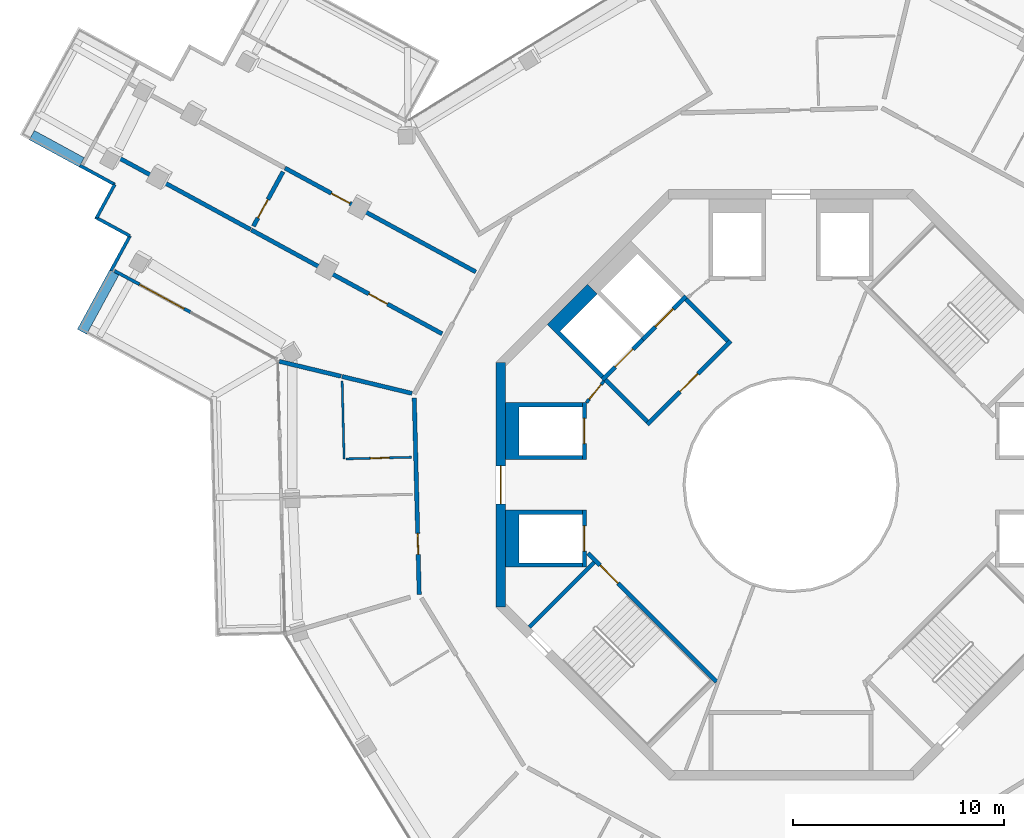
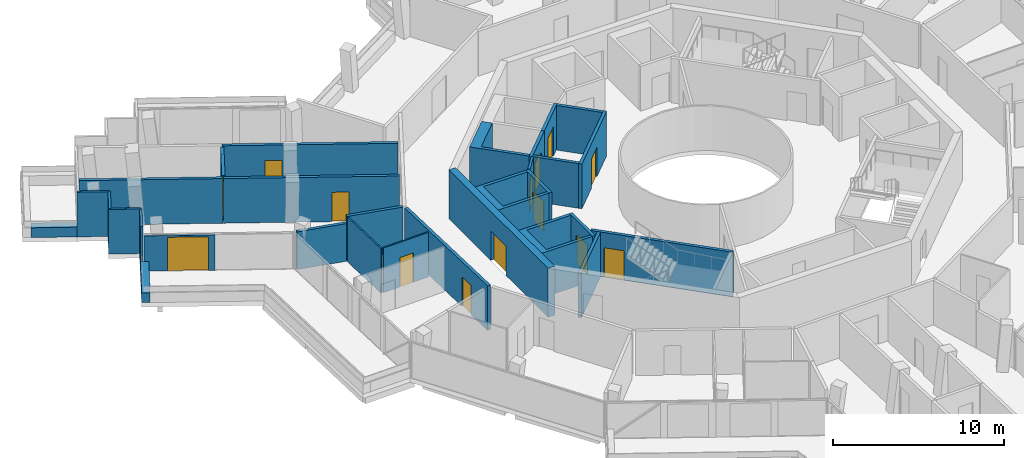
# One storey, part 20 of 26: 30 walls, 14 doors, 14 openings.
"""IFC4 building model written with IfcOpenShell, lengths in metres."""

import ifcopenshell
import ifcopenshell.guid

model = None  # the IFC model being written
_history = None  # IfcOwnerHistory: only IFC2X3 demands one
_inside = {}  # id of a spatial element -> (the spatial element, [elements in it])
_under = {}  # id of a project, library or spatial element -> (it, [spatial elements below it])
_declared = {}  # id of a project -> (the project, [libraries it declares])
_typed = {}  # id of a type object -> (the type object, [elements of that type])
_made_of = {}  # id of a material, layer set ... -> (it, [elements and type objects made of it])


def new_model(schema):
    """Start an empty IFC model of exactly this schema.

    Asked for "IFC4X3", IfcOpenShell would pick the latest addendum, in which some entities
    have other attributes; the version numbers below select the first issue.
    IFC2X3 requires an IfcOwnerHistory on every rooted entity: one is made here for all.
    """
    global model, _history
    if schema == "IFC4X3":
        model = ifcopenshell.file(schema_version=(4, 3, 0, 0))
    else:
        model = ifcopenshell.file(schema=schema)
    _inside.clear()
    _under.clear()
    _declared.clear()
    _typed.clear()
    _made_of.clear()
    _history = None
    if model.schema == "IFC2X3":
        org = make("IfcOrganization", Name="unknown")
        user = make(
            "IfcPersonAndOrganization",
            ThePerson=make("IfcPerson", FamilyName="unknown"),
            TheOrganization=org,
        )
        app = make(
            "IfcApplication",
            ApplicationDeveloper=org,
            Version="unknown",
            ApplicationFullName="unknown",
            ApplicationIdentifier="unknown",
        )
        _history = make(
            "IfcOwnerHistory",
            OwningUser=user,
            OwningApplication=app,
            ChangeAction="ADDED",
            CreationDate=0,
        )
    return model


def make(cls, **values):
    """One entity of the class cls with the attributes given. An attribute that is None is left unset."""
    return model.create_entity(
        cls, **{name: value for name, value in values.items() if value is not None}
    )


def rooted(cls, **values):
    """An entity with a GlobalId (a new one), such as an element, a storey or a relation."""
    return make(cls, GlobalId=ifcopenshell.guid.new(), OwnerHistory=_history, **values)


def si_unit(unit_type, name, prefix=None):
    """IfcSIUnit, for example si_unit("LENGTHUNIT", "METRE", prefix="MILLI")."""
    return make("IfcSIUnit", UnitType=unit_type, Prefix=prefix, Name=name)


def assignment(units):
    """IfcUnitAssignment: the units of a project."""
    return None if units is None else make("IfcUnitAssignment", Units=units)


def point(xyz):
    """IfcCartesianPoint."""
    return None if xyz is None else make("IfcCartesianPoint", Coordinates=xyz)


def direction(xyz):
    """IfcDirection."""
    return None if xyz is None else make("IfcDirection", DirectionRatios=xyz)


def frame(location, z_axis=None, x_axis=None):
    """IfcAxis2Placement3D, a coordinate frame: its origin and axes. An axis left out is left unset."""
    return make(
        "IfcAxis2Placement3D",
        Location=point(location),
        Axis=direction(z_axis),
        RefDirection=direction(x_axis),
    )


def frame_2d(location, x_axis=None):
    """IfcAxis2Placement2D, a coordinate frame in the plane: its origin and x axis."""
    return make(
        "IfcAxis2Placement2D", Location=point(location), RefDirection=direction(x_axis)
    )


def origin():
    """The frame at (0, 0, 0) with its axes left unset."""
    return frame((0.0, 0.0, 0.0))


def place(relative_to, where):
    """IfcLocalPlacement: puts the frame where relative to a parent placement (None: the world)."""
    return make(
        "IfcLocalPlacement", PlacementRelTo=relative_to, RelativePlacement=where
    )


def context(
    kind, dimensions, precision=None, world=None, true_north=None, identifier=None
):
    """IfcGeometricRepresentationContext, for example the 3D "Model" context."""
    return make(
        "IfcGeometricRepresentationContext",
        ContextIdentifier=identifier,
        ContextType=kind,
        CoordinateSpaceDimension=dimensions,
        Precision=precision,
        WorldCoordinateSystem=world,
        TrueNorth=true_north,
    )


def subcontext(parent, identifier, kind, view, scale=None):
    """IfcGeometricRepresentationSubContext, for example "Body" below "Model"."""
    return make(
        "IfcGeometricRepresentationSubContext",
        ContextIdentifier=identifier,
        ContextType=kind,
        ParentContext=parent,
        TargetScale=scale,
        TargetView=view,
    )


def project(units=None, contexts=None):
    """IfcProject with its units and contexts."""
    return rooted(
        "IfcProject",
        Name="project",
        RepresentationContexts=contexts,
        UnitsInContext=assignment(units),
    )


def spatial(cls, under=None, at=None, **own):
    """A site, building, storey or space (cls), placed at a placement, below another one or the project."""
    s = rooted(cls, ObjectPlacement=at, **own)
    if under is not None:
        _under.setdefault(under.id(), (under, []))[1].append(s)
    return s


def polyline(points):
    """IfcPolyline through the points."""
    return make("IfcPolyline", Points=[point(p) for p in points])


def profile(cls, at=None, kind="AREA", **sizes):
    """A parametric profile (cls). Its sizes go by their IFC names, for example OverallWidth=200.0."""
    return make(cls, ProfileType=kind, Position=at, **sizes)


def rectangle(**sizes):
    """IfcRectangleProfileDef."""
    return profile("IfcRectangleProfileDef", **sizes)


def outline(outer, holes=None, kind="AREA"):
    """IfcArbitraryClosedProfileDef: a profile drawn as a closed curve; with holes, ...WithVoids."""
    if holes is None:
        return make("IfcArbitraryClosedProfileDef", ProfileType=kind, OuterCurve=outer)
    return make(
        "IfcArbitraryProfileDefWithVoids",
        ProfileType=kind,
        OuterCurve=outer,
        InnerCurves=holes,
    )


def extrude(swept, where, along, depth):
    """IfcExtrudedAreaSolid: the profile swept, set in the frame where, extruded along a direction by depth."""
    return make(
        "IfcExtrudedAreaSolid",
        SweptArea=swept,
        Position=where,
        ExtrudedDirection=direction(along),
        Depth=depth,
    )


def shape(context_of_items, identifier, shape_type, items):
    """IfcShapeRepresentation: the items that make up one representation, for example the "Body"."""
    return make(
        "IfcShapeRepresentation",
        ContextOfItems=context_of_items,
        RepresentationIdentifier=identifier,
        RepresentationType=shape_type,
        Items=items,
    )


def material(Name=None, Category=None):
    """IfcMaterial."""
    return make("IfcMaterial", Name=Name, Category=Category)


def layer(
    of_material, thickness, ventilated=None, Name=None, Category=None, Priority=None
):
    """IfcMaterialLayer: one layer of a wall or slab, of a material (None: an air gap)."""
    return make(
        "IfcMaterialLayer",
        Material=of_material,
        LayerThickness=thickness,
        IsVentilated=ventilated,
        Name=Name,
        Category=Category,
        Priority=Priority,
    )


def layer_set(layers, Name=None):
    """IfcMaterialLayerSet."""
    return make("IfcMaterialLayerSet", MaterialLayers=layers, LayerSetName=Name)


def made_of(thing, what):
    """Note that an element or type object is made of a material, layer set ...; save() writes the relation."""
    if what is not None:
        _made_of.setdefault(what.id(), (what, []))[1].append(thing)
    return thing


def type_object(cls, material=None, **own):
    """A type object (cls), such as IfcWallType, which elements share."""
    return made_of(rooted(cls, **own), material)


def element(
    cls,
    number,
    at=None,
    inside=None,
    cuts=None,
    type_object=None,
    material=None,
    context=None,
    identifier="Body",
    shape_type=None,
    held_by="IfcProductDefinitionShape",
    body=None,
    shapes=None,
    **own,
):
    """One element of the class cls, such as IfcWall. Its Tag is "e" and its number.

    at: its placement. inside: the storey or other place that contains it. cuts: it is an
    opening in that element (IfcRelVoidsElement). A single representation is given by context,
    identifier, shape_type and body (its items); several are given by shapes. held_by: the class
    of the entity that holds the representations. save() writes the other relations.
    """
    e = rooted(cls, Tag="e%d" % number, ObjectPlacement=at, **own)
    if body is not None:
        shapes = [shape(context, identifier, shape_type, body)]
    if shapes is not None:
        e.Representation = make(held_by, Representations=shapes)
    if inside is not None:
        _inside.setdefault(inside.id(), (inside, []))[1].append(e)
    if cuts is not None:
        rooted(
            "IfcRelVoidsElement", RelatingBuildingElement=cuts, RelatedOpeningElement=e
        )
    if type_object is not None:
        _typed.setdefault(type_object.id(), (type_object, []))[1].append(e)
    return made_of(e, material)


def fill(opening, filler):
    """IfcRelFillsElement: the door or window that sits in an opening."""
    return rooted(
        "IfcRelFillsElement",
        RelatingOpeningElement=opening,
        RelatedBuildingElement=filler,
    )


def aggregate(whole, parts):
    """IfcRelAggregates: a whole, such as a stair, and the parts it consists of."""
    return rooted("IfcRelAggregates", RelatingObject=whole, RelatedObjects=parts)


def save(model, path):
    """Write the relations noted so far, then the file.

    IfcRelAggregates (storeys below a building ...), IfcRelContainedInSpatialStructure (elements
    in a storey), IfcRelDefinesByType, IfcRelAssociatesMaterial and IfcRelDeclares: one each for
    every whole, place, type object, material and project.
    """
    for whole, parts in _under.values():
        aggregate(whole, parts)
    for where, things in _inside.values():
        rooted(
            "IfcRelContainedInSpatialStructure",
            RelatedElements=things,
            RelatingStructure=where,
        )
    for kind, things in _typed.values():
        rooted("IfcRelDefinesByType", RelatedObjects=things, RelatingType=kind)
    for what, things in _made_of.values():
        rooted("IfcRelAssociatesMaterial", RelatedObjects=things, RelatingMaterial=what)
    for by, libraries in _declared.values():
        rooted("IfcRelDeclares", RelatingContext=by, RelatedDefinitions=libraries)
    model.write(path)


model = new_model("IFC4")

# Units and contexts
model_context = context("Model", 3, precision=1e-05, world=origin(), true_north=direction((0.0, 1.0)))
body_context = subcontext(model_context, "Body", "Model", "MODEL_VIEW")
ifc_project = project(units=[si_unit("LENGTHUNIT", "METRE"), si_unit("AREAUNIT", "SQUARE_METRE"), si_unit("VOLUMEUNIT", "CUBIC_METRE"), si_unit("PLANEANGLEUNIT", "RADIAN"), si_unit("MASSUNIT", "GRAM", prefix="KILO")], contexts=[model_context])

# Site, building, storey
site_placement = place(None, origin())
site = spatial("IfcSite", under=ifc_project, at=site_placement, CompositionType="ELEMENT")
building_placement = place(site_placement, origin())
building = spatial("IfcBuilding", under=site, at=building_placement, Name="Verdalira Terraces Hotel", CompositionType="ELEMENT")
storey_placement = place(building_placement, frame((0.0, 0.0, 284.5)))
storey = spatial("IfcBuildingStorey", under=building, at=storey_placement, Name="L70", CompositionType="ELEMENT", Elevation=284.5)

# Walls
ifc_material_1 = material(Name="Concrete C40", Category="concrete")
ifc_layer_1 = layer(ifc_material_1, 0.5)
ifc_layer_set_1 = layer_set([ifc_layer_1], Name="Balcony planter trough with tree")
wall_type_1 = type_object("IfcWallType", Name="Balcony planter trough with tree", PredefinedType="SOLIDWALL", material=ifc_layer_set_1)
wall_1_placement = place(storey_placement, frame((-36.008057, 16.58252, 0.0), z_axis=(0.0, 0.0, 1.0), x_axis=(0.878289347, -0.478129504, 0.0)))
element("IfcWall", 1, at=wall_1_placement, inside=storey, type_object=wall_type_1, Name="Balcony planter", PredefinedType="SOLIDWALL", context=body_context, shape_type="SweptSolid", body=[
    extrude(rectangle(XDim=2.699219, YDim=0.5, at=frame_2d((1.349609, 0.0))), origin(), (0.0, 0.0, 1.0), 0.699951),
])
wall_2_placement = place(storey_placement, frame((-32.095947, 10.068604, 0.0), z_axis=(0.0, 0.0, 1.0), x_axis=(-0.478108746, -0.878300647, 0.0)))
element("IfcWall", 2, at=wall_2_placement, inside=storey, type_object=wall_type_1, Name="Balcony planter", PredefinedType="SOLIDWALL", context=body_context, shape_type="SweptSolid", body=[
    extrude(rectangle(XDim=3.199219, YDim=0.5, at=frame_2d((1.599609, 0.0))), origin(), (0.0, 0.0, 1.0), 0.699951),
])
ifc_material_2 = material(Name="Moisture-resistant gypsum board partition")
ifc_layer_2 = layer(ifc_material_2, 0.10009765625)
ifc_layer_set_2 = layer_set([ifc_layer_2], Name="Bathroom partition 100 mm")
wall_type_2 = type_object("IfcWallType", Name="Bathroom partition 100 mm", PredefinedType="PARTITIONING", material=ifc_layer_set_2)
wall_3_placement = place(storey_placement, frame((-21.288818, 4.928955, 0.0), z_axis=(0.0, 0.0, 1.0), x_axis=(0.025112405, -0.999684634, 0.0)))
element("IfcWall", 3, at=wall_3_placement, inside=storey, type_object=wall_type_2, Name="Bathroom partition", PredefinedType="PARTITIONING", context=body_context, shape_type="SweptSolid", body=[
    extrude(rectangle(XDim=3.704102, YDim=0.100098, at=frame_2d((1.852051, 0.0))), origin(), (0.0, 0.0, 1.0), 3.189941),
])

# Wall, opening, door
wall_4_placement = place(storey_placement, frame((-21.095947, 1.228516, 0.0), z_axis=(0.0, 0.0, 1.0), x_axis=(0.999684391, 0.025122051, 0.0)))
wall_4 = element("IfcWall", 4, at=wall_4_placement, inside=storey, type_object=wall_type_2, Name="Bathroom partition", PredefinedType="PARTITIONING", context=body_context, shape_type="SweptSolid", body=[
    extrude(rectangle(XDim=3.100098, YDim=0.100098, at=frame_2d((1.550049, 0.0))), origin(), (0.0, 0.0, 1.0), 3.189941),
])
opening_1_placement = place(wall_4_placement, frame((1.149902, 0.0, 0.0)))
opening_1 = element("IfcOpeningElement", 5, at=opening_1_placement, cuts=wall_4, Name="Opening L70-107", PredefinedType="OPENING", context=body_context, shape_type="SweptSolid", body=[
    extrude(rectangle(XDim=0.899902, YDim=2.100098, at=frame_2d((0.449951, 1.050049))), frame((0.0, 0.060059, 0.0), z_axis=(0.0, -1.0, 0.0), x_axis=(1.0, 0.0, 0.0)), (0.0, 0.0, 1.0), 0.120117),
])
ifc_material_3 = material(Name="Timber door", Category="wood")
door_type_1 = type_object("IfcDoorType", Name="Bathroom door 900 x 2100", OperationType="NOTDEFINED", PredefinedType="DOOR", material=ifc_material_3)
door_1_placement = place(opening_1_placement, origin())
door_1 = element("IfcDoor", 6, at=door_1_placement, inside=storey, type_object=door_type_1, Name="Bathroom door 7002", OperationType="SINGLE_SWING_LEFT", OverallHeight=2.10009765625, OverallWidth=0.89990234375, PredefinedType="DOOR", context=body_context, shape_type="SweptSolid", body=[
    extrude(rectangle(XDim=0.899902, YDim=2.100098, at=frame_2d((0.449951, 1.050049))), frame((0.0, 0.024902, 0.0), z_axis=(0.0, -1.0, 0.0), x_axis=(1.0, 0.0, 0.0)), (0.0, 0.0, 1.0), 0.050049),
])
fill(opening_1, door_1)

# Wall
ifc_material_4 = material(Name="Concrete C50", Category="concrete")
ifc_layer_3 = layer(ifc_material_4, 0.199951171875)
ifc_layer_set_3 = layer_set([ifc_layer_3], Name="Core RC wall 200 C50")
wall_type_3 = type_object("IfcWallType", Name="Core RC wall 200 C50", PredefinedType="SOLIDWALL", material=ifc_layer_set_3)
wall_5_placement = place(storey_placement, origin())
element("IfcWall", 7, at=wall_5_placement, inside=storey, type_object=wall_type_3, Name="L70 shaft wall W1", PredefinedType="SOLIDWALL", context=body_context, shape_type="SweptSolid", body=[
    extrude(outline(polyline([(-13.550049, 3.899902), (-9.899902, 3.899902), (-9.899902, 3.699951), (-12.899902, 3.699951), (-12.899902, 1.399902), (-9.899902, 1.399902), (-9.899902, 1.199951), (-13.550049, 1.199951), (-13.550049, 3.899902)])), origin(), (0.0, 0.0, 1.0), 3.189941),
])

# Wall, opening, door
wall_6_placement = place(storey_placement, frame((-9.800049, 1.199951, 0.0), z_axis=(0.0, 0.0, 1.0), x_axis=(0.0, 1.0, 0.0)))
wall_6 = element("IfcWall", 8, at=wall_6_placement, inside=storey, type_object=wall_type_3, Name="L70 shaft front wall W1", PredefinedType="SOLIDWALL", context=body_context, shape_type="SweptSolid", body=[
    extrude(rectangle(XDim=2.699951, YDim=0.199951, at=frame_2d((1.350098, 0.0))), origin(), (0.0, 0.0, 1.0), 3.189941),
])
opening_2_placement = place(wall_6_placement, frame((0.75, 0.0, 0.0)))
opening_2 = element("IfcOpeningElement", 9, at=opening_2_placement, cuts=wall_6, Name="Opening LD-L70-806", PredefinedType="OPENING", context=body_context, shape_type="SweptSolid", body=[
    extrude(rectangle(XDim=1.199951, YDim=2.100098, at=frame_2d((0.600098, 1.050049))), frame((0.0, 0.109863, 0.0), z_axis=(0.0, -1.0, 0.0), x_axis=(1.0, 0.0, 0.0)), (0.0, 0.0, 1.0), 0.219971),
])
ifc_material_5 = material(Name="Stainless steel", Category="steel")
door_type_2 = type_object("IfcDoorType", Name="Landing door 1200 x 2100", OperationType="NOTDEFINED", PredefinedType="DOOR", material=ifc_material_5)
door_2_placement = place(opening_2_placement, origin())
door_2 = element("IfcDoor", 10, at=door_2_placement, inside=storey, type_object=door_type_2, Name="Lift landing door HR5 L70", OperationType="DOUBLE_DOOR_SLIDING", OverallHeight=2.10009765625, OverallWidth=1.199951171875, PredefinedType="DOOR", context=body_context, shape_type="SweptSolid", body=[
    extrude(rectangle(XDim=1.199951, YDim=2.100098, at=frame_2d((0.600098, 1.050049))), frame((0.0, 0.024902, 0.0), z_axis=(0.0, -1.0, 0.0), x_axis=(1.0, 0.0, 0.0)), (0.0, 0.0, 1.0), 0.050049),
])
fill(opening_2, door_2)

# Wall
wall_7_placement = place(storey_placement, origin())
element("IfcWall", 11, at=wall_7_placement, inside=storey, type_object=wall_type_3, Name="L70 shaft wall W2", PredefinedType="SOLIDWALL", context=body_context, shape_type="SweptSolid", body=[
    extrude(outline(polyline([(-13.550049, -3.899902), (-13.550049, -1.199951), (-9.899902, -1.199951), (-9.899902, -1.399902), (-12.899902, -1.399902), (-12.899902, -3.699951), (-9.899902, -3.699951), (-9.899902, -3.899902), (-13.550049, -3.899902)])), origin(), (0.0, 0.0, 1.0), 3.189941),
])

# Wall, opening, door
wall_8_placement = place(storey_placement, frame((-9.800049, -1.199951, 0.0), z_axis=(0.0, 0.0, 1.0), x_axis=(0.0, -1.0, 0.0)))
wall_8 = element("IfcWall", 12, at=wall_8_placement, inside=storey, type_object=wall_type_3, Name="L70 shaft front wall W2", PredefinedType="SOLIDWALL", context=body_context, shape_type="SweptSolid", body=[
    extrude(rectangle(XDim=2.699951, YDim=0.199951, at=frame_2d((1.350098, 0.0))), origin(), (0.0, 0.0, 1.0), 3.189941),
])
opening_3_placement = place(wall_8_placement, frame((0.75, 0.0, 0.0)))
opening_3 = element("IfcOpeningElement", 13, at=opening_3_placement, cuts=wall_8, Name="Opening LD-L70-807", PredefinedType="OPENING", context=body_context, shape_type="SweptSolid", body=[
    extrude(rectangle(XDim=1.199951, YDim=2.100098, at=frame_2d((0.600098, 1.050049))), frame((0.0, 0.109863, 0.0), z_axis=(0.0, -1.0, 0.0), x_axis=(1.0, 0.0, 0.0)), (0.0, 0.0, 1.0), 0.219971),
])
door_3_placement = place(opening_3_placement, origin())
door_3 = element("IfcDoor", 14, at=door_3_placement, inside=storey, type_object=door_type_2, Name="Lift landing door HR6 L70", OperationType="DOUBLE_DOOR_SLIDING", OverallHeight=2.10009765625, OverallWidth=1.199951171875, PredefinedType="DOOR", context=body_context, shape_type="SweptSolid", body=[
    extrude(rectangle(XDim=1.199951, YDim=2.100098, at=frame_2d((0.600098, 1.050049))), frame((0.0, 0.024902, 0.0), z_axis=(0.0, -1.0, 0.0), x_axis=(1.0, 0.0, 0.0)), (0.0, 0.0, 1.0), 0.050049),
])
fill(opening_3, door_3)

wall_9_placement = place(storey_placement, frame((-4.985107, 8.944824, 0.0), z_axis=(0.0, 0.0, 1.0), x_axis=(-0.707106781, -0.707106781, 0.0)))
wall_9 = element("IfcWall", 15, at=wall_9_placement, inside=storey, type_object=wall_type_3, Name="L70 shaft front wall F1", PredefinedType="SOLIDWALL", context=body_context, shape_type="SweptSolid", body=[
    extrude(rectangle(XDim=2.899902, YDim=0.199951, at=frame_2d((1.449951, 0.0))), origin(), (0.0, 0.0, 1.0), 3.189941),
])
opening_4_placement = place(wall_9_placement, frame((0.850098, 0.0, 0.0)))
opening_4 = element("IfcOpeningElement", 16, at=opening_4_placement, cuts=wall_9, Name="Opening LD-L70-808", PredefinedType="OPENING", context=body_context, shape_type="SweptSolid", body=[
    extrude(rectangle(XDim=1.199951, YDim=2.100098, at=frame_2d((0.600098, 1.050049))), frame((0.0, 0.109863, 0.0), z_axis=(0.0, -1.0, 0.0), x_axis=(1.0, 0.0, 0.0)), (0.0, 0.0, 1.0), 0.219971),
])
door_4_placement = place(opening_4_placement, origin())
door_4 = element("IfcDoor", 17, at=door_4_placement, inside=storey, type_object=door_type_2, Name="Lift landing door LF11 L70", OperationType="DOUBLE_DOOR_SLIDING", OverallHeight=2.10009765625, OverallWidth=1.199951171875, PredefinedType="DOOR", context=body_context, shape_type="SweptSolid", body=[
    extrude(rectangle(XDim=1.199951, YDim=2.100098, at=frame_2d((0.600098, 1.050049))), frame((0.0, 0.024902, 0.0), z_axis=(0.0, -1.0, 0.0), x_axis=(1.0, 0.0, 0.0)), (0.0, 0.0, 1.0), 0.050049),
])
fill(opening_4, door_4)

# Wall
wall_10_placement = place(storey_placement, origin())
element("IfcWall", 18, at=wall_10_placement, inside=storey, type_object=wall_type_3, Name="L70 shaft wall F2", PredefinedType="SOLIDWALL", context=body_context, shape_type="SweptSolid", body=[
    extrude(outline(polyline([(-11.561279, 7.601318), (-9.6521, 9.510498), (-9.192383, 9.051025), (-10.960205, 7.283203), (-8.874268, 5.197266), (-9.015625, 5.055908), (-11.561279, 7.601318)])), origin(), (0.0, 0.0, 1.0), 3.189941),
])

# Wall, opening, door
wall_11_placement = place(storey_placement, frame((-7.035645, 6.894287, 0.0), z_axis=(0.0, 0.0, 1.0), x_axis=(-0.707106781, -0.707106781, 0.0)))
wall_11 = element("IfcWall", 19, at=wall_11_placement, inside=storey, type_object=wall_type_3, Name="L70 shaft front wall F2", PredefinedType="SOLIDWALL", context=body_context, shape_type="SweptSolid", body=[
    extrude(rectangle(XDim=2.699951, YDim=0.199951, at=frame_2d((1.350098, 0.0))), origin(), (0.0, 0.0, 1.0), 3.189941),
])
opening_5_placement = place(wall_11_placement, frame((0.649902, 0.0, 0.0)))
opening_5 = element("IfcOpeningElement", 20, at=opening_5_placement, cuts=wall_11, Name="Opening LD-L70-809", PredefinedType="OPENING", context=body_context, shape_type="SweptSolid", body=[
    extrude(rectangle(XDim=1.199951, YDim=2.100098, at=frame_2d((0.600098, 1.050049))), frame((0.0, 0.109863, 0.0), z_axis=(0.0, -1.0, 0.0), x_axis=(1.0, 0.0, 0.0)), (0.0, 0.0, 1.0), 0.219971),
])
door_5_placement = place(opening_5_placement, origin())
door_5 = element("IfcDoor", 21, at=door_5_placement, inside=storey, type_object=door_type_2, Name="Lift landing door LF12 L70", OperationType="DOUBLE_DOOR_SLIDING", OverallHeight=2.10009765625, OverallWidth=1.199951171875, PredefinedType="DOOR", context=body_context, shape_type="SweptSolid", body=[
    extrude(rectangle(XDim=1.199951, YDim=2.100098, at=frame_2d((0.600098, 1.050049))), frame((0.0, 0.024902, 0.0), z_axis=(0.0, -1.0, 0.0), x_axis=(1.0, 0.0, 0.0)), (0.0, 0.0, 1.0), 0.050049),
])
fill(opening_5, door_5)

wall_12_placement = place(storey_placement, frame((-3.5354, -9.33374, 0.0), z_axis=(0.0, 0.0, 1.0), x_axis=(-0.707120946, 0.707092617, 0.0)))
wall_12 = element("IfcWall", 22, at=wall_12_placement, inside=storey, type_object=wall_type_3, Name="L70 stair ST2 front wall", PredefinedType="SOLIDWALL", context=body_context, shape_type="SweptSolid", body=[
    extrude(rectangle(XDim=8.61792, YDim=0.199951, at=frame_2d((4.309082, 0.0))), origin(), (0.0, 0.0, 1.0), 3.189941),
])
opening_6_placement = place(wall_12_placement, frame((6.600098, 0.0, 0.0)))
opening_6 = element("IfcOpeningElement", 23, at=opening_6_placement, cuts=wall_12, Name="Opening L70-811", PredefinedType="OPENING", context=body_context, shape_type="SweptSolid", body=[
    extrude(rectangle(XDim=1.199951, YDim=2.100098, at=frame_2d((0.600098, 1.050049))), frame((0.0, 0.109863, 0.0), z_axis=(0.0, -1.0, 0.0), x_axis=(1.0, 0.0, 0.0)), (0.0, 0.0, 1.0), 0.219971),
])
ifc_material_6 = material(Name="Steel fire door", Category="steel")
door_type_3 = type_object("IfcDoorType", Name="Stair door 1200 x 2100", OperationType="NOTDEFINED", PredefinedType="DOOR", material=ifc_material_6)
door_6_placement = place(opening_6_placement, origin())
door_6 = element("IfcDoor", 24, at=door_6_placement, inside=storey, type_object=door_type_3, Name="Stair door ST2 L70", OperationType="SINGLE_SWING_RIGHT", OverallHeight=2.10009765625, OverallWidth=1.199951171875, PredefinedType="DOOR", context=body_context, shape_type="SweptSolid", body=[
    extrude(rectangle(XDim=1.199951, YDim=2.100098, at=frame_2d((0.600098, 1.050049))), frame((0.0, 0.024902, 0.0), z_axis=(0.0, -1.0, 0.0), x_axis=(1.0, 0.0, 0.0)), (0.0, 0.0, 1.0), 0.050049),
])
fill(opening_6, door_6)

# Wall
wall_13_placement = place(storey_placement, frame((-9.33374, -3.677002, 0.0), z_axis=(0.0, 0.0, 1.0), x_axis=(-0.707106781, -0.707106781, 0.0)))
element("IfcWall", 25, at=wall_13_placement, inside=storey, type_object=wall_type_3, Name="L70 stair ST2 end wall 1", PredefinedType="SOLIDWALL", context=body_context, shape_type="SweptSolid", body=[
    extrude(rectangle(XDim=4.350098, YDim=0.199951, at=frame_2d((2.175049, 0.0))), origin(), (0.0, 0.0, 1.0), 3.189941),
])

# Wall, opening, door
wall_14_placement = place(storey_placement, frame((-2.86377, 6.823486, 0.0), z_axis=(0.0, 0.0, 1.0), x_axis=(-0.707106781, -0.707106781, 0.0)))
wall_14 = element("IfcWall", 26, at=wall_14_placement, inside=storey, type_object=wall_type_3, Name="L70 fire lobby wall", PredefinedType="SOLIDWALL", context=body_context, shape_type="SweptSolid", body=[
    extrude(rectangle(XDim=5.599854, YDim=0.199951, at=frame_2d((2.799805, 0.0))), origin(), (0.0, 0.0, 1.0), 3.189941),
])
opening_7_placement = place(wall_14_placement, frame((2.199951, 0.0, 0.0)))
opening_7 = element("IfcOpeningElement", 27, at=opening_7_placement, cuts=wall_14, Name="Opening L70-819", PredefinedType="OPENING", context=body_context, shape_type="SweptSolid", body=[
    extrude(rectangle(XDim=1.199951, YDim=2.100098, at=frame_2d((0.600098, 1.050049))), frame((0.0, 0.109863, 0.0), z_axis=(0.0, -1.0, 0.0), x_axis=(1.0, 0.0, 0.0)), (0.0, 0.0, 1.0), 0.219971),
])
ifc_material_7 = material(Name="Steel fire door", Category="steel")
door_type_4 = type_object("IfcDoorType", Name="Lobby door 1200 x 2100", OperationType="NOTDEFINED", PredefinedType="DOOR", material=ifc_material_7)
door_7_placement = place(opening_7_placement, origin())
door_7 = element("IfcDoor", 28, at=door_7_placement, inside=storey, type_object=door_type_4, Name="Fire lobby door L70", OperationType="SINGLE_SWING_LEFT", OverallHeight=2.10009765625, OverallWidth=1.199951171875, PredefinedType="DOOR", context=body_context, shape_type="SweptSolid", body=[
    extrude(rectangle(XDim=1.199951, YDim=2.100098, at=frame_2d((0.600098, 1.050049))), frame((0.0, 0.024902, 0.0), z_axis=(0.0, -1.0, 0.0), x_axis=(1.0, 0.0, 0.0)), (0.0, 0.0, 1.0), 0.050049),
])
fill(opening_7, door_7)

# Walls
for number, where, z_axis, x_axis, name in (
    (29, (-3.005127, 6.823486, 0.0), (0.0, 0.0, 1.0), (-0.707106781, 0.707106781, 0.0), "L70 fire lobby wall"),
    (30, (-6.823486, 3.005127, 0.0), (0.0, 0.0, 1.0), (-0.707106781, 0.707106781, 0.0), "L70 fire lobby wall"),
):
    element("IfcWall", number, at=place(storey_placement, frame(where, z_axis=z_axis, x_axis=x_axis)), inside=storey, type_object=wall_type_3, Name=name, PredefinedType="SOLIDWALL", context=body_context, shape_type="SweptSolid", body=[
        extrude(rectangle(XDim=2.800049, YDim=0.199951, at=frame_2d((1.399902, 0.0))), origin(), (0.0, 0.0, 1.0), 3.189941),
    ])

# Wall, opening, door
ifc_material_8 = material(Name="Gypsum board partition")
ifc_layer_4 = layer(ifc_material_8, 0.14990234375)
ifc_layer_set_4 = layer_set([ifc_layer_4], Name="Core partition 150 mm")
wall_type_4 = type_object("IfcWallType", Name="Core partition 150 mm", PredefinedType="PARTITIONING", material=ifc_layer_set_4)
wall_15_placement = place(storey_placement, frame((-8.874268, 4.914307, 0.0), z_axis=(0.0, 0.0, 1.0), x_axis=(-0.631274009, -0.775559878, 0.0)))
wall_15 = element("IfcWall", 31, at=wall_15_placement, inside=storey, type_object=wall_type_4, Name="Room partition L70", PredefinedType="PARTITIONING", context=body_context, shape_type="SweptSolid", body=[
    extrude(rectangle(XDim=1.307861, YDim=0.149902, at=frame_2d((0.653809, 0.0))), origin(), (0.0, 0.0, 1.0), 3.189941),
])
opening_8_placement = place(wall_15_placement, frame((0.204102, 0.0, 0.0)))
opening_8 = element("IfcOpeningElement", 32, at=opening_8_placement, cuts=wall_15, Name="Opening L70-821", PredefinedType="OPENING", context=body_context, shape_type="SweptSolid", body=[
    extrude(rectangle(XDim=0.899902, YDim=2.100098, at=frame_2d((0.449951, 1.050049))), frame((0.0, 0.084961, 0.0), z_axis=(0.0, -1.0, 0.0), x_axis=(1.0, 0.0, 0.0)), (0.0, 0.0, 1.0), 0.169922),
])
ifc_material_9 = material(Name="Steel fire door", Category="steel")
door_type_5 = type_object("IfcDoorType", Name="Core room door 900 x 2100", OperationType="NOTDEFINED", PredefinedType="DOOR", material=ifc_material_9)
door_8_placement = place(opening_8_placement, origin())
door_8 = element("IfcDoor", 33, at=door_8_placement, inside=storey, type_object=door_type_5, Name="Door L70 room3", OperationType="SINGLE_SWING_LEFT", OverallHeight=2.10009765625, OverallWidth=0.89990234375, PredefinedType="DOOR", context=body_context, shape_type="SweptSolid", body=[
    extrude(rectangle(XDim=0.899902, YDim=2.100098, at=frame_2d((0.449951, 1.050049))), frame((0.0, 0.024902, 0.0), z_axis=(0.0, -1.0, 0.0), x_axis=(1.0, 0.0, 0.0)), (0.0, 0.0, 1.0), 0.050049),
])
fill(opening_8, door_8)

ifc_material_10 = material(Name="Concrete C50", Category="concrete")
ifc_layer_5 = layer(ifc_material_10, 0.449951171875)
ifc_layer_set_5 = layer_set([ifc_layer_5], Name="Core wall 450 C50")
wall_type_5 = type_object("IfcWallType", Name="Core wall 450 C50", PredefinedType="SHEAR", material=ifc_layer_set_5)
wall_16_placement = place(storey_placement, frame((-13.774902, 5.799072, 0.0), z_axis=(0.0, 0.0, 1.0), x_axis=(0.0, -1.0, 0.0)))
wall_16 = element("IfcWall", 34, at=wall_16_placement, inside=storey, type_object=wall_type_5, Name="Core wall CW-L70-5", PredefinedType="SHEAR", context=body_context, shape_type="SweptSolid", body=[
    extrude(rectangle(XDim=11.598145, YDim=0.449951, at=frame_2d((5.799072, 0.0))), origin(), (0.0, 0.0, 1.0), 3.5),
])
opening_9_placement = place(wall_16_placement, frame((4.898926, 0.0, 0.0)))
opening_9 = element("IfcOpeningElement", 35, at=opening_9_placement, cuts=wall_16, Name="Opening L70-815", PredefinedType="OPENING", context=body_context, shape_type="SweptSolid", body=[
    extrude(rectangle(XDim=1.800049, YDim=2.100098, at=frame_2d((0.899902, 1.050049))), frame((0.0, 0.234863, 0.0), z_axis=(0.0, -1.0, 0.0), x_axis=(1.0, 0.0, 0.0)), (0.0, 0.0, 1.0), 0.469971),
])
ifc_material_11 = material(Name="Steel fire door", Category="steel")
door_type_6 = type_object("IfcDoorType", Name="Core entry door pair 1800 x 2100", OperationType="NOTDEFINED", PredefinedType="DOOR", material=ifc_material_11)
door_9_placement = place(opening_9_placement, origin())
door_9 = element("IfcDoor", 36, at=door_9_placement, inside=storey, type_object=door_type_6, Name="Core entry door L70 4", OperationType="DOUBLE_DOOR_SINGLE_SWING", OverallHeight=2.10009765625, OverallWidth=1.800048828125, PredefinedType="DOOR", context=body_context, shape_type="SweptSolid", body=[
    extrude(rectangle(XDim=1.800049, YDim=2.100098, at=frame_2d((0.899902, 1.050049))), frame((0.0, 0.024902, 0.0), z_axis=(0.0, -1.0, 0.0), x_axis=(1.0, 0.0, 0.0)), (0.0, 0.0, 1.0), 0.050049),
])
fill(opening_9, door_9)

# Wall
ifc_material_12 = material(Name="Fire-rated gypsum board wall")
ifc_layer_6 = layer(ifc_material_12, 0.199951171875)
ifc_layer_set_6 = layer_set([ifc_layer_6], Name="Demising wall 200 mm")
wall_type_6 = type_object("IfcWallType", Name="Demising wall 200 mm", PredefinedType="SOLIDWALL", material=ifc_layer_set_6)
wall_17_placement = place(storey_placement, frame((-33.012695, 16.124023, 0.0), z_axis=(0.0, 0.0, 1.0), x_axis=(0.878326299, -0.47806162, 0.0)))
element("IfcWall", 37, at=wall_17_placement, inside=storey, type_object=wall_type_6, Name="Demising wall", PredefinedType="SOLIDWALL", context=body_context, shape_type="SweptSolid", body=[
    extrude(rectangle(XDim=8.397705, YDim=0.199951, at=frame_2d((4.19873, 0.0))), origin(), (0.0, 0.0, 1.0), 3.189941),
])

# Wall, opening, door
wall_18_placement = place(storey_placement, frame((-25.498779, 12.261963, 0.0), z_axis=(0.0, 0.0, 1.0), x_axis=(0.478055142, 0.878329825, 0.0)))
wall_18 = element("IfcWall", 38, at=wall_18_placement, inside=storey, type_object=wall_type_6, Name="Demising wall", PredefinedType="SOLIDWALL", context=body_context, shape_type="SweptSolid", body=[
    extrude(rectangle(XDim=2.941162, YDim=0.199951, at=frame_2d((1.470703, 0.0))), origin(), (0.0, 0.0, 1.0), 3.189941),
])
opening_10_placement = place(wall_18_placement, frame((0.449951, 0.0, 0.0)))
opening_10 = element("IfcOpeningElement", 39, at=opening_10_placement, cuts=wall_18, Name="Opening L70-104", PredefinedType="OPENING", context=body_context, shape_type="SweptSolid", body=[
    extrude(rectangle(XDim=1.0, YDim=2.100098, at=frame_2d((0.5, 1.050049))), frame((0.0, 0.109863, 0.0), z_axis=(0.0, -1.0, 0.0), x_axis=(1.0, 0.0, 0.0)), (0.0, 0.0, 1.0), 0.219971),
])
ifc_material_13 = material(Name="Timber fire door", Category="wood")
door_type_7 = type_object("IfcDoorType", Name="Public room door 1000 x 2100", OperationType="NOTDEFINED", PredefinedType="DOOR", material=ifc_material_13)
door_10_placement = place(opening_10_placement, origin())
door_10 = element("IfcDoor", 40, at=door_10_placement, inside=storey, type_object=door_type_7, Name="Public room door 7001", OperationType="SINGLE_SWING_LEFT", OverallHeight=2.10009765625, OverallWidth=1.0, PredefinedType="DOOR", context=body_context, shape_type="SweptSolid", body=[
    extrude(rectangle(XDim=1.0, YDim=2.100098, at=frame_2d((0.5, 1.050049))), frame((0.0, 0.024902, 0.0), z_axis=(0.0, -1.0, 0.0), x_axis=(1.0, 0.0, 0.0)), (0.0, 0.0, 1.0), 0.050049),
])
fill(opening_10, door_10)

wall_19_placement = place(storey_placement, frame((-16.547852, 7.162109, 0.0), z_axis=(0.0, 0.0, 1.0), x_axis=(-0.878310041, 0.478091489, 0.0)))
wall_19 = element("IfcWall", 41, at=wall_19_placement, inside=storey, type_object=wall_type_6, Name="Demising wall", PredefinedType="SOLIDWALL", context=body_context, shape_type="SweptSolid", body=[
    extrude(rectangle(XDim=10.302002, YDim=0.199951, at=frame_2d((5.150879, 0.0))), origin(), (0.0, 0.0, 1.0), 3.189941),
])
opening_11_placement = place(wall_19_placement, frame((2.949951, 0.0, 0.0)))
opening_11 = element("IfcOpeningElement", 42, at=opening_11_placement, cuts=wall_19, Name="Opening L70-103", PredefinedType="OPENING", context=body_context, shape_type="SweptSolid", body=[
    extrude(rectangle(XDim=1.0, YDim=2.100098, at=frame_2d((0.5, 1.050049))), frame((0.0, 0.109863, 0.0), z_axis=(0.0, -1.0, 0.0), x_axis=(1.0, 0.0, 0.0)), (0.0, 0.0, 1.0), 0.219971),
])
door_11_placement = place(opening_11_placement, origin())
door_11 = element("IfcDoor", 43, at=door_11_placement, inside=storey, type_object=door_type_7, Name="Public room door 7001", OperationType="SINGLE_SWING_LEFT", OverallHeight=2.10009765625, OverallWidth=1.0, PredefinedType="DOOR", context=body_context, shape_type="SweptSolid", body=[
    extrude(rectangle(XDim=1.0, YDim=2.100098, at=frame_2d((0.5, 1.050049))), frame((0.0, 0.024902, 0.0), z_axis=(0.0, -1.0, 0.0), x_axis=(1.0, 0.0, 0.0)), (0.0, 0.0, 1.0), 0.050049),
])
fill(opening_11, door_11)

# Wall
wall_20_placement = place(storey_placement, frame((-17.9729, 4.334717, 0.0), z_axis=(0.0, 0.0, 1.0), x_axis=(-0.972125443, 0.234461345, 0.0)))
element("IfcWall", 44, at=wall_20_placement, inside=storey, type_object=wall_type_6, Name="Demising wall", PredefinedType="SOLIDWALL", context=body_context, shape_type="SweptSolid", body=[
    extrude(rectangle(XDim=3.418457, YDim=0.199951, at=frame_2d((1.709229, 0.0))), origin(), (0.0, 0.0, 1.0), 3.189941),
])

# Wall, opening, door
wall_21_placement = place(storey_placement, frame((-23.999023, 15.021973, 0.0), z_axis=(0.0, 0.0, 1.0), x_axis=(0.878315458, -0.478081538, 0.0)))
wall_21 = element("IfcWall", 45, at=wall_21_placement, inside=storey, type_object=wall_type_6, Name="Demising wall", PredefinedType="SOLIDWALL", context=body_context, shape_type="SweptSolid", body=[
    extrude(rectangle(XDim=10.302246, YDim=0.199951, at=frame_2d((5.151123, 0.0))), origin(), (0.0, 0.0, 1.0), 3.189941),
])
opening_12_placement = place(wall_21_placement, frame((2.5, 0.0, 0.0)))
opening_12 = element("IfcOpeningElement", 46, at=opening_12_placement, cuts=wall_21, Name="Opening L70-102", PredefinedType="OPENING", context=body_context, shape_type="SweptSolid", body=[
    extrude(rectangle(XDim=1.0, YDim=2.100098, at=frame_2d((0.5, 1.050049))), frame((0.0, 0.109863, 0.0), z_axis=(0.0, -1.0, 0.0), x_axis=(1.0, 0.0, 0.0)), (0.0, 0.0, 1.0), 0.219971),
])
door_12_placement = place(opening_12_placement, origin())
door_12 = element("IfcDoor", 47, at=door_12_placement, inside=storey, type_object=door_type_7, Name="Public room door 7001", OperationType="SINGLE_SWING_LEFT", OverallHeight=2.10009765625, OverallWidth=1.0, PredefinedType="DOOR", context=body_context, shape_type="SweptSolid", body=[
    extrude(rectangle(XDim=1.0, YDim=2.100098, at=frame_2d((0.5, 1.050049))), frame((0.0, 0.024902, 0.0), z_axis=(0.0, -1.0, 0.0), x_axis=(1.0, 0.0, 0.0)), (0.0, 0.0, 1.0), 0.050049),
])
fill(opening_12, door_12)

# Wall
ifc_material_14 = material(Name="Fire-rated gypsum board wall")
ifc_layer_7 = layer(ifc_material_14, 0.199951171875)
ifc_layer_set_7 = layer_set([ifc_layer_7], Name="Demising wall 200 mm to beam soffit")
wall_type_7 = type_object("IfcWallType", Name="Demising wall 200 mm to beam soffit", PredefinedType="SOLIDWALL", material=ifc_layer_set_7)
wall_22_placement = place(storey_placement, frame((-21.34082, 5.147217, 0.0), z_axis=(0.0, 0.0, 1.0), x_axis=(-0.972126189, 0.234458255, 0.0)))
element("IfcWall", 48, at=wall_22_placement, inside=storey, type_object=wall_type_7, Name="Demising wall", PredefinedType="SOLIDWALL", context=body_context, shape_type="SweptSolid", body=[
    extrude(rectangle(XDim=3.011475, YDim=0.199951, at=frame_2d((1.505859, 0.0))), origin(), (0.0, 0.0, 1.0), 2.689941),
])

# Wall, opening, door
ifc_material_15 = material(Name="Fire-rated gypsum board wall")
ifc_layer_8 = layer(ifc_material_15, 0.199951171875)
ifc_layer_set_8 = layer_set([ifc_layer_8], Name="Guest corridor wall 200 mm")
wall_type_8 = type_object("IfcWallType", Name="Guest corridor wall 200 mm", PredefinedType="SOLIDWALL", material=ifc_layer_set_8)
wall_23_placement = place(storey_placement, frame((-17.633057, -5.203125, 0.0), z_axis=(0.0, 0.0, 1.0), x_axis=(-0.025130335, 0.999684183, 0.0)))
wall_23 = element("IfcWall", 49, at=wall_23_placement, inside=storey, type_object=wall_type_8, Name="Guest corridor wall", PredefinedType="SOLIDWALL", context=body_context, shape_type="SweptSolid", body=[
    extrude(rectangle(XDim=9.31665, YDim=0.199951, at=frame_2d((4.658203, 0.0))), origin(), (0.0, 0.0, 1.0), 3.189941),
])
opening_13_placement = place(wall_23_placement, frame((1.899902, 0.0, 0.0)))
opening_13 = element("IfcOpeningElement", 50, at=opening_13_placement, cuts=wall_23, Name="Opening L70-105", PredefinedType="OPENING", context=body_context, shape_type="SweptSolid", body=[
    extrude(rectangle(XDim=1.0, YDim=2.100098, at=frame_2d((0.5, 1.050049))), frame((0.0, 0.109863, 0.0), z_axis=(0.0, -1.0, 0.0), x_axis=(1.0, 0.0, 0.0)), (0.0, 0.0, 1.0), 0.219971),
])
ifc_material_16 = material(Name="Timber fire door", Category="wood")
door_type_8 = type_object("IfcDoorType", Name="Guest entry door 1000 x 2100", OperationType="NOTDEFINED", PredefinedType="DOOR", material=ifc_material_16)
door_13_placement = place(opening_13_placement, origin())
door_13 = element("IfcDoor", 51, at=door_13_placement, inside=storey, type_object=door_type_8, Name="Guest entry door 7002", OperationType="SINGLE_SWING_LEFT", OverallHeight=2.10009765625, OverallWidth=1.0, PredefinedType="DOOR", context=body_context, shape_type="SweptSolid", body=[
    extrude(rectangle(XDim=1.0, YDim=2.100098, at=frame_2d((0.5, 1.050049))), frame((0.0, 0.024902, 0.0), z_axis=(0.0, -1.0, 0.0), x_axis=(1.0, 0.0, 0.0)), (0.0, 0.0, 1.0), 0.050049),
])
fill(opening_13, door_13)

# Walls
ifc_material_17 = material(Name="Terracotta cladding", Category="masonry")
ifc_layer_9 = layer(ifc_material_17, 0.14990234375)
ifc_layer_set_9 = layer_set([ifc_layer_9], Name="Terracotta clad wall 150")
wall_type_9 = type_object("IfcWallType", Name="Terracotta clad wall 150", PredefinedType="SOLIDWALL", material=ifc_layer_set_9)
wall_24_placement = place(storey_placement, frame((-33.720215, 15.137939, 0.0), z_axis=(0.0, 0.0, 1.0), x_axis=(0.878313198, -0.47808569, 0.0)))
element("IfcWall", 52, at=wall_24_placement, inside=storey, type_object=wall_type_9, Name="Terracotta cladding wall", PredefinedType="SOLIDWALL", context=body_context, shape_type="SweptSolid", body=[
    extrude(rectangle(XDim=1.875244, YDim=0.149902, at=frame_2d((0.9375, 0.0))), origin(), (0.0, 0.0, 1.0), 3.189941),
])
wall_25_placement = place(storey_placement, frame((-32.073242, 14.241455, 0.0), z_axis=(0.0, 0.0, 1.0), x_axis=(-0.478139203, -0.878284067, 0.0)))
element("IfcWall", 53, at=wall_25_placement, inside=storey, type_object=wall_type_9, Name="Terracotta cladding wall", PredefinedType="SOLIDWALL", context=body_context, shape_type="SweptSolid", body=[
    extrude(rectangle(XDim=1.799805, YDim=0.149902, at=frame_2d((0.899902, 0.0))), origin(), (0.0, 0.0, 1.0), 3.189941),
])
wall_26_placement = place(storey_placement, frame((-32.999756, 12.696289, 0.0), z_axis=(0.0, 0.0, 1.0), x_axis=(0.878367867, -0.477985241, 0.0)))
element("IfcWall", 54, at=wall_26_placement, inside=storey, type_object=wall_type_9, Name="Terracotta cladding wall", PredefinedType="SOLIDWALL", context=body_context, shape_type="SweptSolid", body=[
    extrude(rectangle(XDim=1.875, YDim=0.149902, at=frame_2d((0.9375, 0.0))), origin(), (0.0, 0.0, 1.0), 3.189941),
])
wall_27_placement = place(storey_placement, frame((-31.352783, 11.800049, 0.0), z_axis=(0.0, 0.0, 1.0), x_axis=(-0.47808569, -0.878313198, 0.0)))
element("IfcWall", 55, at=wall_27_placement, inside=storey, type_object=wall_type_9, Name="Terracotta cladding wall", PredefinedType="SOLIDWALL", context=body_context, shape_type="SweptSolid", body=[
    extrude(rectangle(XDim=1.875244, YDim=0.149902, at=frame_2d((0.9375, 0.0))), origin(), (0.0, 0.0, 1.0), 3.189941),
])

# Wall, opening, door
ifc_material_18 = material(Name="Terracotta cladding", Category="masonry")
ifc_layer_10 = layer(ifc_material_18, 0.14990234375)
ifc_layer_set_10 = layer_set([ifc_layer_10], Name="Terracotta door pier 150")
wall_type_10 = type_object("IfcWallType", Name="Terracotta door pier 150", PredefinedType="SOLIDWALL", material=ifc_layer_set_10)
wall_28_placement = place(storey_placement, frame((-32.086182, 10.149658, 0.0), z_axis=(0.0, 0.0, 1.0), x_axis=(0.878321366, -0.478070683, 0.0)))
wall_28 = element("IfcWall", 56, at=wall_28_placement, inside=storey, type_object=wall_type_10, Name="Terracotta door pier", PredefinedType="SOLIDWALL", context=body_context, shape_type="SweptSolid", body=[
    extrude(rectangle(XDim=4.159912, YDim=0.149902, at=frame_2d((2.080078, 0.0))), origin(), (0.0, 0.0, 1.0), 2.524902),
])
opening_14_placement = place(wall_28_placement, frame((1.360107, 0.0, 0.0)))
opening_14 = element("IfcOpeningElement", 57, at=opening_14_placement, cuts=wall_28, Name="Opening L70-B03", PredefinedType="OPENING", context=body_context, shape_type="SweptSolid", body=[
    extrude(rectangle(XDim=2.399902, YDim=2.399902, at=frame_2d((1.199951, 1.199951))), frame((0.0, 0.084961, 0.0), z_axis=(0.0, -1.0, 0.0), x_axis=(1.0, 0.0, 0.0)), (0.0, 0.0, 1.0), 0.169922),
])
ifc_material_19 = material(Name="Clear glass", Category="glass")
door_type_9 = type_object("IfcDoorType", Name="Balcony sliding door 2400x2400", OperationType="NOTDEFINED", PredefinedType="DOOR", material=ifc_material_19)
door_14_placement = place(opening_14_placement, origin())
door_14 = element("IfcDoor", 58, at=door_14_placement, inside=storey, type_object=door_type_9, Name="Balcony sliding door", OperationType="SLIDING_TO_LEFT", OverallHeight=2.39990234375, OverallWidth=2.39990234375, PredefinedType="DOOR", context=body_context, shape_type="SweptSolid", body=[
    extrude(rectangle(XDim=2.399902, YDim=2.399902, at=frame_2d((1.199951, 1.199951))), frame((0.0, 0.024902, 0.0), z_axis=(0.0, -1.0, 0.0), x_axis=(1.0, 0.0, 0.0)), (0.0, 0.0, 1.0), 0.050049),
])
fill(opening_14, door_14)

save(model, "model.ifc")
